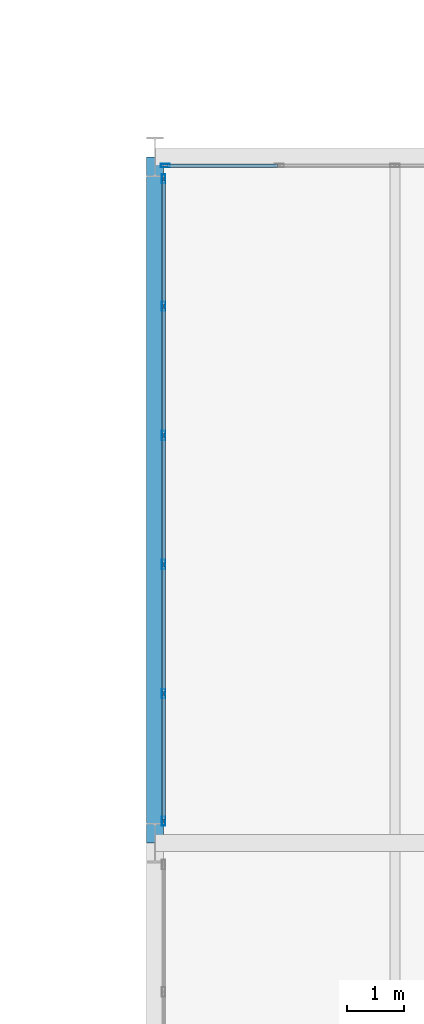
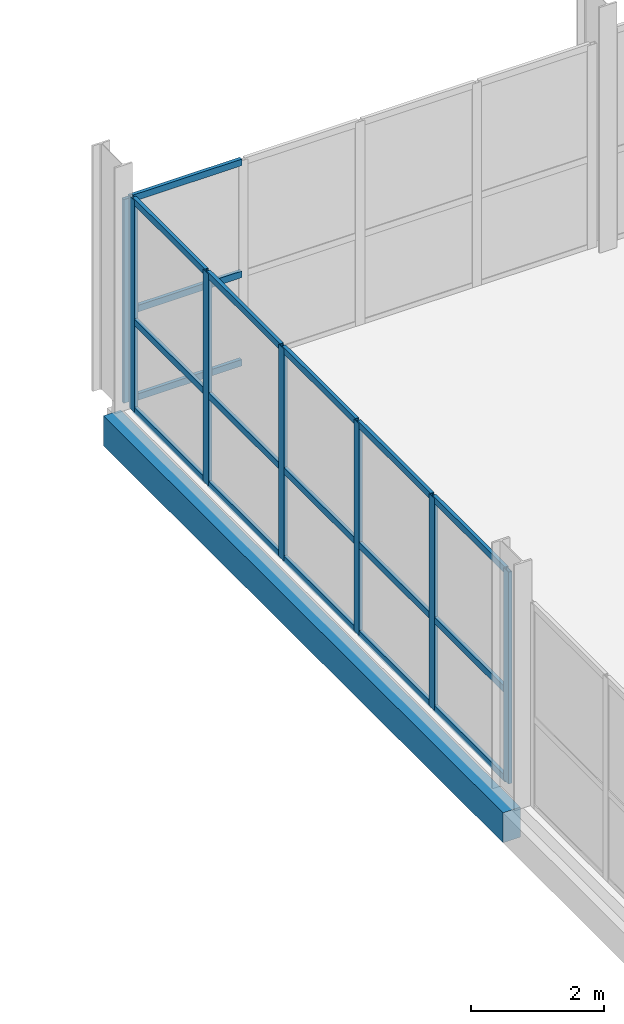
# One storey, part 62 of 113: 25 members, 1 beam, 2 elements without a shape of their own.
"""IFC4 building model written with IfcOpenShell, lengths in metres."""

from ifc_helpers import new_model, si_unit, direction, frame, origin, origin_2d, place, context, subcontext, project, spatial, rectangle, hollow_rectangle, extrude, material, material_profile, profile_set, type_object, element, aggregate, save


model = new_model("IFC4")

# Units and contexts
model_context = context("Model", 3, precision=1e-05, world=origin(), true_north=direction((0.0, 1.0)))
body_context = subcontext(model_context, "Body", "Model", "MODEL_VIEW")
ifc_project = project(units=[si_unit("LENGTHUNIT", "METRE"), si_unit("AREAUNIT", "SQUARE_METRE"), si_unit("VOLUMEUNIT", "CUBIC_METRE"), si_unit("PLANEANGLEUNIT", "RADIAN"), si_unit("MASSUNIT", "GRAM", prefix="KILO")], contexts=[model_context])

# Site, building, storey
site_placement = place(None, origin())
site = spatial("IfcSite", under=ifc_project, at=site_placement, CompositionType="ELEMENT")
building_placement = place(site_placement, origin())
building = spatial("IfcBuilding", under=site, at=building_placement, Name="Veltarok Museum of Natural Sciences", CompositionType="ELEMENT")
storey_placement = place(building_placement, frame((0.0, 0.0, 8.39990234375)))
storey = spatial("IfcBuildingStorey", under=building, at=storey_placement, Name="L01", CompositionType="ELEMENT", Elevation=8.39990234375)

# Curtain wall, members
ifc_material_1 = material(Name="Low-iron triple insulated glass", Category="glass")
curtain_wall_type_1 = type_object("IfcCurtainWallType", Name="Curtain Wall System CW-V5CW-L01-0-1130x388 (CW-V5CW L01 1130x388cm)", PredefinedType="NOTDEFINED", material=ifc_material_1)
curtain_wall_1_placement = place(storey_placement, origin())
curtain_wall_1 = element("IfcCurtainWall", 1, at=curtain_wall_1_placement, inside=storey, type_object=curtain_wall_type_1, Name="Curtain Wall CW-V5CW-L01-0-1130x388 CW-0176", PredefinedType="NOTDEFINED")
ifc_material_2 = material(Name="Thermally broken anodised aluminium", Category="aluminium")
ifc_material_profile_1 = material_profile(ifc_material_2, hollow_rectangle(XDim=0.06005859375, YDim=0.1201171875, WallThickness=0.0048828125, at=origin_2d()), Name="CW TRANSOM 60x120x5")
ifc_profile_set_1 = profile_set([ifc_material_profile_1], Name="Thermally broken anodised aluminium")
member_type_1 = type_object("IfcMemberType", Name="Curtain Wall Horizontal Transom 60x120x5", PredefinedType="USERDEFINED", material=ifc_profile_set_1)
member_1_placement = place(storey_placement, frame((132.550048828125, 60.409912109375, 0.028076171875), z_axis=(0.0, 1.0, 0.0), x_axis=(-1.0, 0.0, 0.0)))
member_1 = element("IfcMember", 2, at=member_1_placement, type_object=member_type_1, Name="CW-V5CW-L01-0-1130x388 transom 1.1", ObjectType="TRANSOM", PredefinedType="USERDEFINED", context=body_context, shape_type="SweptSolid", body=[
    extrude(hollow_rectangle(XDim=0.06005859375, YDim=0.1201171875, WallThickness=0.0048828125, at=origin_2d()), origin(), (0.0, 0.0, 1.0), 2.170166015625),
])
member_2_placement = place(storey_placement, frame((132.550048828125, 60.409912109375, 1.648193359375), z_axis=(0.0, 1.0, 0.0), x_axis=(-1.0, 0.0, 0.0)))
member_2 = element("IfcMember", 3, at=member_2_placement, type_object=member_type_1, Name="CW-V5CW-L01-0-1130x388 transom 1.2", ObjectType="TRANSOM", PredefinedType="USERDEFINED", context=body_context, shape_type="SweptSolid", body=[
    extrude(hollow_rectangle(XDim=0.06005859375, YDim=0.1201171875, WallThickness=0.0048828125, at=origin_2d()), origin(), (0.0, 0.0, 1.0), 2.170166015625),
])
member_3_placement = place(storey_placement, frame((132.550048828125, 60.409912109375, 3.85009765625), z_axis=(0.0, 1.0, 0.0), x_axis=(-1.0, 0.0, 0.0)))
member_3 = element("IfcMember", 4, at=member_3_placement, type_object=member_type_1, Name="CW-V5CW-L01-0-1130x388 transom 1.3", ObjectType="TRANSOM", PredefinedType="USERDEFINED", context=body_context, shape_type="SweptSolid", body=[
    extrude(hollow_rectangle(XDim=0.06005859375, YDim=0.1201171875, WallThickness=0.0048828125, at=origin_2d()), origin(), (0.0, 0.0, 1.0), 2.170166015625),
])
member_4_placement = place(storey_placement, frame((132.550048828125, 62.639892578125, 0.028076171875), z_axis=(0.0, 1.0, 0.0), x_axis=(-1.0, 0.0, 0.0)))
member_4 = element("IfcMember", 5, at=member_4_placement, type_object=member_type_1, Name="CW-V5CW-L01-0-1130x388 transom 2.1", ObjectType="TRANSOM", PredefinedType="USERDEFINED", context=body_context, shape_type="SweptSolid", body=[
    extrude(hollow_rectangle(XDim=0.06005859375, YDim=0.1201171875, WallThickness=0.0048828125, at=origin_2d()), origin(), (0.0, 0.0, 1.0), 2.2001953125),
])
member_5_placement = place(storey_placement, frame((132.550048828125, 62.639892578125, 1.648193359375), z_axis=(0.0, 1.0, 0.0), x_axis=(-1.0, 0.0, 0.0)))
member_5 = element("IfcMember", 6, at=member_5_placement, type_object=member_type_1, Name="CW-V5CW-L01-0-1130x388 transom 2.2", ObjectType="TRANSOM", PredefinedType="USERDEFINED", context=body_context, shape_type="SweptSolid", body=[
    extrude(hollow_rectangle(XDim=0.06005859375, YDim=0.1201171875, WallThickness=0.0048828125, at=origin_2d()), origin(), (0.0, 0.0, 1.0), 2.2001953125),
])
member_6_placement = place(storey_placement, frame((132.550048828125, 62.639892578125, 3.85009765625), z_axis=(0.0, 1.0, 0.0), x_axis=(-1.0, 0.0, 0.0)))
member_6 = element("IfcMember", 7, at=member_6_placement, type_object=member_type_1, Name="CW-V5CW-L01-0-1130x388 transom 2.3", ObjectType="TRANSOM", PredefinedType="USERDEFINED", context=body_context, shape_type="SweptSolid", body=[
    extrude(hollow_rectangle(XDim=0.06005859375, YDim=0.1201171875, WallThickness=0.0048828125, at=origin_2d()), origin(), (0.0, 0.0, 1.0), 2.2001953125),
])
member_7_placement = place(storey_placement, frame((132.550048828125, 64.89990234375, 0.028076171875), z_axis=(0.0, 1.0, 0.0), x_axis=(-1.0, 0.0, 0.0)))
member_7 = element("IfcMember", 8, at=member_7_placement, type_object=member_type_1, Name="CW-V5CW-L01-0-1130x388 transom 3.1", ObjectType="TRANSOM", PredefinedType="USERDEFINED", context=body_context, shape_type="SweptSolid", body=[
    extrude(hollow_rectangle(XDim=0.06005859375, YDim=0.1201171875, WallThickness=0.0048828125, at=origin_2d()), origin(), (0.0, 0.0, 1.0), 2.2001953125),
])
member_8_placement = place(storey_placement, frame((132.550048828125, 64.89990234375, 1.648193359375), z_axis=(0.0, 1.0, 0.0), x_axis=(-1.0, 0.0, 0.0)))
member_8 = element("IfcMember", 9, at=member_8_placement, type_object=member_type_1, Name="CW-V5CW-L01-0-1130x388 transom 3.2", ObjectType="TRANSOM", PredefinedType="USERDEFINED", context=body_context, shape_type="SweptSolid", body=[
    extrude(hollow_rectangle(XDim=0.06005859375, YDim=0.1201171875, WallThickness=0.0048828125, at=origin_2d()), origin(), (0.0, 0.0, 1.0), 2.2001953125),
])
member_9_placement = place(storey_placement, frame((132.550048828125, 64.89990234375, 3.85009765625), z_axis=(0.0, 1.0, 0.0), x_axis=(-1.0, 0.0, 0.0)))
member_9 = element("IfcMember", 10, at=member_9_placement, type_object=member_type_1, Name="CW-V5CW-L01-0-1130x388 transom 3.3", ObjectType="TRANSOM", PredefinedType="USERDEFINED", context=body_context, shape_type="SweptSolid", body=[
    extrude(hollow_rectangle(XDim=0.06005859375, YDim=0.1201171875, WallThickness=0.0048828125, at=origin_2d()), origin(), (0.0, 0.0, 1.0), 2.2001953125),
])
member_10_placement = place(storey_placement, frame((132.550048828125, 67.159912109375, 0.028076171875), z_axis=(0.0, 1.0, 0.0), x_axis=(-1.0, 0.0, 0.0)))
member_10 = element("IfcMember", 11, at=member_10_placement, type_object=member_type_1, Name="CW-V5CW-L01-0-1130x388 transom 4.1", ObjectType="TRANSOM", PredefinedType="USERDEFINED", context=body_context, shape_type="SweptSolid", body=[
    extrude(hollow_rectangle(XDim=0.06005859375, YDim=0.1201171875, WallThickness=0.0048828125, at=origin_2d()), origin(), (0.0, 0.0, 1.0), 2.2001953125),
])
member_11_placement = place(storey_placement, frame((132.550048828125, 67.159912109375, 1.648193359375), z_axis=(0.0, 1.0, 0.0), x_axis=(-1.0, 0.0, 0.0)))
member_11 = element("IfcMember", 12, at=member_11_placement, type_object=member_type_1, Name="CW-V5CW-L01-0-1130x388 transom 4.2", ObjectType="TRANSOM", PredefinedType="USERDEFINED", context=body_context, shape_type="SweptSolid", body=[
    extrude(hollow_rectangle(XDim=0.06005859375, YDim=0.1201171875, WallThickness=0.0048828125, at=origin_2d()), origin(), (0.0, 0.0, 1.0), 2.2001953125),
])
member_12_placement = place(storey_placement, frame((132.550048828125, 67.159912109375, 3.85009765625), z_axis=(0.0, 1.0, 0.0), x_axis=(-1.0, 0.0, 0.0)))
member_12 = element("IfcMember", 13, at=member_12_placement, type_object=member_type_1, Name="CW-V5CW-L01-0-1130x388 transom 4.3", ObjectType="TRANSOM", PredefinedType="USERDEFINED", context=body_context, shape_type="SweptSolid", body=[
    extrude(hollow_rectangle(XDim=0.06005859375, YDim=0.1201171875, WallThickness=0.0048828125, at=origin_2d()), origin(), (0.0, 0.0, 1.0), 2.2001953125),
])
member_13_placement = place(storey_placement, frame((132.550048828125, 69.419921875, 0.028076171875), z_axis=(0.0, 1.0, 0.0), x_axis=(-1.0, 0.0, 0.0)))
member_13 = element("IfcMember", 14, at=member_13_placement, type_object=member_type_1, Name="CW-V5CW-L01-0-1130x388 transom 5.1", ObjectType="TRANSOM", PredefinedType="USERDEFINED", context=body_context, shape_type="SweptSolid", body=[
    extrude(hollow_rectangle(XDim=0.06005859375, YDim=0.1201171875, WallThickness=0.0048828125, at=origin_2d()), origin(), (0.0, 0.0, 1.0), 2.170166015625),
])
member_14_placement = place(storey_placement, frame((132.550048828125, 69.419921875, 1.648193359375), z_axis=(0.0, 1.0, 0.0), x_axis=(-1.0, 0.0, 0.0)))
member_14 = element("IfcMember", 15, at=member_14_placement, type_object=member_type_1, Name="CW-V5CW-L01-0-1130x388 transom 5.2", ObjectType="TRANSOM", PredefinedType="USERDEFINED", context=body_context, shape_type="SweptSolid", body=[
    extrude(hollow_rectangle(XDim=0.06005859375, YDim=0.1201171875, WallThickness=0.0048828125, at=origin_2d()), origin(), (0.0, 0.0, 1.0), 2.170166015625),
])
member_15_placement = place(storey_placement, frame((132.550048828125, 69.419921875, 3.85009765625), z_axis=(0.0, 1.0, 0.0), x_axis=(-1.0, 0.0, 0.0)))
member_15 = element("IfcMember", 16, at=member_15_placement, type_object=member_type_1, Name="CW-V5CW-L01-0-1130x388 transom 5.3", ObjectType="TRANSOM", PredefinedType="USERDEFINED", context=body_context, shape_type="SweptSolid", body=[
    extrude(hollow_rectangle(XDim=0.06005859375, YDim=0.1201171875, WallThickness=0.0048828125, at=origin_2d()), origin(), (0.0, 0.0, 1.0), 2.170166015625),
])

curtain_wall_type_2 = type_object("IfcCurtainWallType", Name="Curtain Wall System CW-V5N-L01-3-810x373 (CW-V5N L01 810x373cm)", PredefinedType="NOTDEFINED", material=ifc_material_1)
curtain_wall_2_placement = place(storey_placement, origin())
curtain_wall_2 = element("IfcCurtainWall", 17, at=curtain_wall_2_placement, inside=storey, type_object=curtain_wall_type_2, Name="Curtain Wall CW-V5N-L01-3-810x373 CW-0199", PredefinedType="NOTDEFINED")
member_16_placement = place(storey_placement, frame((134.544921875, 71.85009765625, 0.028076171875), z_axis=(-1.0, 0.0, 0.0), x_axis=(0.0, -1.0, 0.0)))
member_16 = element("IfcMember", 18, at=member_16_placement, type_object=member_type_1, Name="CW-V5N-L01-3-810x373 transom 4.1", ObjectType="TRANSOM", PredefinedType="USERDEFINED", context=body_context, shape_type="SweptSolid", body=[
    extrude(hollow_rectangle(XDim=0.06005859375, YDim=0.1201171875, WallThickness=0.0048828125, at=origin_2d()), origin(), (0.0, 0.0, 1.0), 1.934814453125),
])
member_17_placement = place(storey_placement, frame((134.544921875, 71.85009765625, 1.648193359375), z_axis=(-1.0, 0.0, 0.0), x_axis=(0.0, -1.0, 0.0)))
member_17 = element("IfcMember", 19, at=member_17_placement, type_object=member_type_1, Name="CW-V5N-L01-3-810x373 transom 4.2", ObjectType="TRANSOM", PredefinedType="USERDEFINED", context=body_context, shape_type="SweptSolid", body=[
    extrude(hollow_rectangle(XDim=0.06005859375, YDim=0.1201171875, WallThickness=0.0048828125, at=origin_2d()), origin(), (0.0, 0.0, 1.0), 1.934814453125),
])
member_18_placement = place(storey_placement, frame((134.544921875, 71.85009765625, 3.7001953125), z_axis=(-1.0, 0.0, 0.0), x_axis=(0.0, -1.0, 0.0)))
member_18 = element("IfcMember", 20, at=member_18_placement, type_object=member_type_1, Name="CW-V5N-L01-3-810x373 transom 4.3", ObjectType="TRANSOM", PredefinedType="USERDEFINED", context=body_context, shape_type="SweptSolid", body=[
    extrude(hollow_rectangle(XDim=0.06005859375, YDim=0.1201171875, WallThickness=0.0048828125, at=origin_2d()), origin(), (0.0, 0.0, 1.0), 1.934814453125),
])

# Member
ifc_material_profile_2 = material_profile(ifc_material_2, hollow_rectangle(XDim=0.06005859375, YDim=0.159912109375, WallThickness=0.0048828125, at=origin_2d()), Name="CW MULLION 60x160x5")
ifc_profile_set_2 = profile_set([ifc_material_profile_2], Name="Thermally broken anodised aluminium")
member_type_2 = type_object("IfcMemberType", Name="Curtain Wall Vertical Mullion 60x160x5", PredefinedType="MULLION", material=ifc_profile_set_2)
member_19_placement = place(storey_placement, frame((132.550048828125, 60.3798828125, -0.001953125), z_axis=(0.0, 0.0, 1.0), x_axis=(-1.0, 0.0, 0.0)))
member_19 = element("IfcMember", 21, at=member_19_placement, type_object=member_type_2, Name="CW-V5CW-L01-0-1130x388 mullion 1", PredefinedType="MULLION", context=body_context, shape_type="SweptSolid", body=[
    extrude(hollow_rectangle(XDim=0.06005859375, YDim=0.159912109375, WallThickness=0.0048828125, at=origin_2d()), origin(), (0.0, 0.0, 1.0), 3.882080078125),
])

member_20_placement = place(storey_placement, frame((132.550048828125, 62.610107421875, -0.001953125), z_axis=(0.0, 0.0, 1.0), x_axis=(-1.0, 0.0, 0.0)))
member_20 = element("IfcMember", 22, at=member_20_placement, type_object=member_type_2, Name="CW-V5CW-L01-0-1130x388 mullion 2", PredefinedType="MULLION", context=body_context, shape_type="SweptSolid", body=[
    extrude(hollow_rectangle(XDim=0.06005859375, YDim=0.159912109375, WallThickness=0.0048828125, at=origin_2d()), origin(), (0.0, 0.0, 1.0), 3.882080078125),
])

member_21_placement = place(storey_placement, frame((132.550048828125, 64.8701171875, -0.001953125), z_axis=(0.0, 0.0, 1.0), x_axis=(-1.0, 0.0, 0.0)))
member_21 = element("IfcMember", 23, at=member_21_placement, type_object=member_type_2, Name="CW-V5CW-L01-0-1130x388 mullion 3", PredefinedType="MULLION", context=body_context, shape_type="SweptSolid", body=[
    extrude(hollow_rectangle(XDim=0.06005859375, YDim=0.159912109375, WallThickness=0.0048828125, at=origin_2d()), origin(), (0.0, 0.0, 1.0), 3.882080078125),
])

member_22_placement = place(storey_placement, frame((132.550048828125, 67.1298828125, -0.001953125), z_axis=(0.0, 0.0, 1.0), x_axis=(-1.0, 0.0, 0.0)))
member_22 = element("IfcMember", 24, at=member_22_placement, type_object=member_type_2, Name="CW-V5CW-L01-0-1130x388 mullion 4", PredefinedType="MULLION", context=body_context, shape_type="SweptSolid", body=[
    extrude(hollow_rectangle(XDim=0.06005859375, YDim=0.159912109375, WallThickness=0.0048828125, at=origin_2d()), origin(), (0.0, 0.0, 1.0), 3.882080078125),
])

member_23_placement = place(storey_placement, frame((132.550048828125, 69.389892578125, -0.001953125), z_axis=(0.0, 0.0, 1.0), x_axis=(-1.0, 0.0, 0.0)))
member_23 = element("IfcMember", 25, at=member_23_placement, type_object=member_type_2, Name="CW-V5CW-L01-0-1130x388 mullion 5", PredefinedType="MULLION", context=body_context, shape_type="SweptSolid", body=[
    extrude(hollow_rectangle(XDim=0.06005859375, YDim=0.159912109375, WallThickness=0.0048828125, at=origin_2d()), origin(), (0.0, 0.0, 1.0), 3.882080078125),
])

member_24_placement = place(storey_placement, frame((132.550048828125, 71.6201171875, -0.001953125), z_axis=(0.0, 0.0, 1.0), x_axis=(-1.0, 0.0, 0.0)))
member_24 = element("IfcMember", 26, at=member_24_placement, type_object=member_type_2, Name="CW-V5CW-L01-0-1130x388 mullion 6", PredefinedType="MULLION", context=body_context, shape_type="SweptSolid", body=[
    extrude(hollow_rectangle(XDim=0.06005859375, YDim=0.159912109375, WallThickness=0.0048828125, at=origin_2d()), origin(), (0.0, 0.0, 1.0), 3.882080078125),
])

aggregate(curtain_wall_1, [member_19, member_20, member_21, member_22, member_23, member_24, member_1, member_2, member_3, member_4, member_5, member_6, member_7, member_8, member_9, member_10, member_11, member_12, member_13, member_14, member_15])

member_25_placement = place(storey_placement, frame((132.580078125, 71.85009765625, -0.001953125), z_axis=(0.0, 0.0, 1.0), x_axis=(0.0, -1.0, 0.0)))
member_25 = element("IfcMember", 27, at=member_25_placement, type_object=member_type_2, Name="CW-V5N-L01-3-810x373 mullion 5", PredefinedType="MULLION", context=body_context, shape_type="SweptSolid", body=[
    extrude(hollow_rectangle(XDim=0.06005859375, YDim=0.159912109375, WallThickness=0.0048828125, at=origin_2d()), origin(), (0.0, 0.0, 1.0), 3.73193359375),
])

aggregate(curtain_wall_2, [member_25, member_16, member_17, member_18])

# Beam
ifc_material_3 = material(Name="Precast concrete C40/50", Category="concrete")
ifc_material_profile_3 = material_profile(ifc_material_3, rectangle(XDim=0.300048828125, YDim=0.550048828125, at=origin_2d()), Name="RC 300x550")
ifc_profile_set_3 = profile_set([ifc_material_profile_3], Name="Precast concrete C40/50")
beam_type = type_object("IfcBeamType", Name="East Wing Precast Spandrel RC 300x550", PredefinedType="SPANDREL", material=ifc_profile_set_3)
beam_placement = place(storey_placement, frame((132.39990234375, 60.0, -0.52490234375), z_axis=(0.0, 1.0, 0.0), x_axis=(-1.0, 0.0, 0.0)))
element("IfcBeam", 28, at=beam_placement, inside=storey, type_object=beam_type, Name="Beam BM-SP02 L01 16/G-H", PredefinedType="SPANDREL", context=body_context, shape_type="SweptSolid", body=[
    extrude(rectangle(XDim=0.300048828125, YDim=0.550048828125, at=origin_2d()), origin(), (0.0, 0.0, 1.0), 12.0),
])

save(model, "model.ifc")
